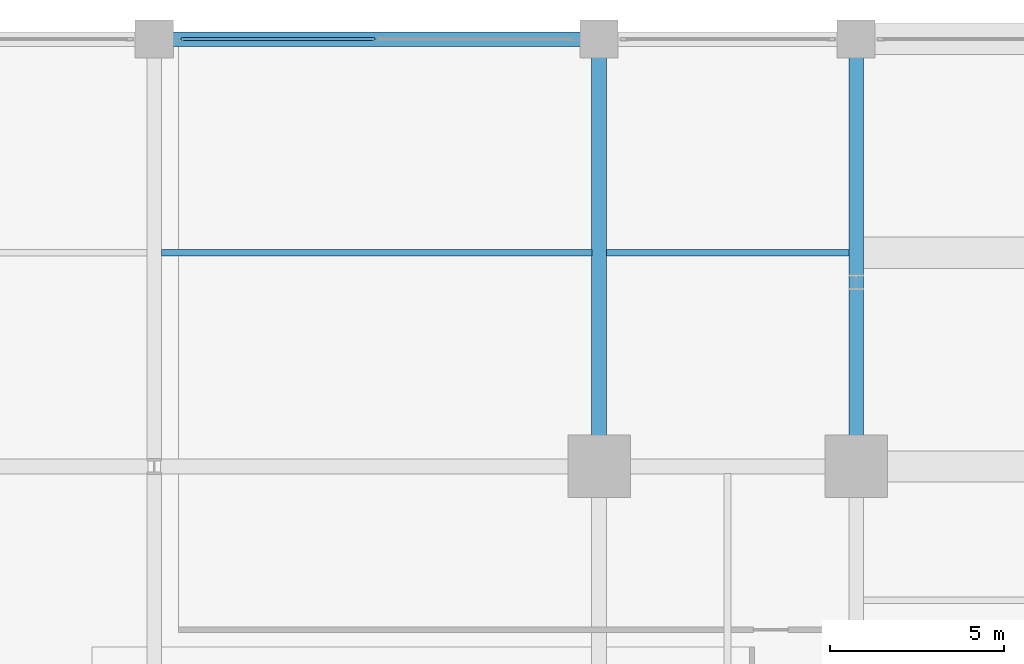
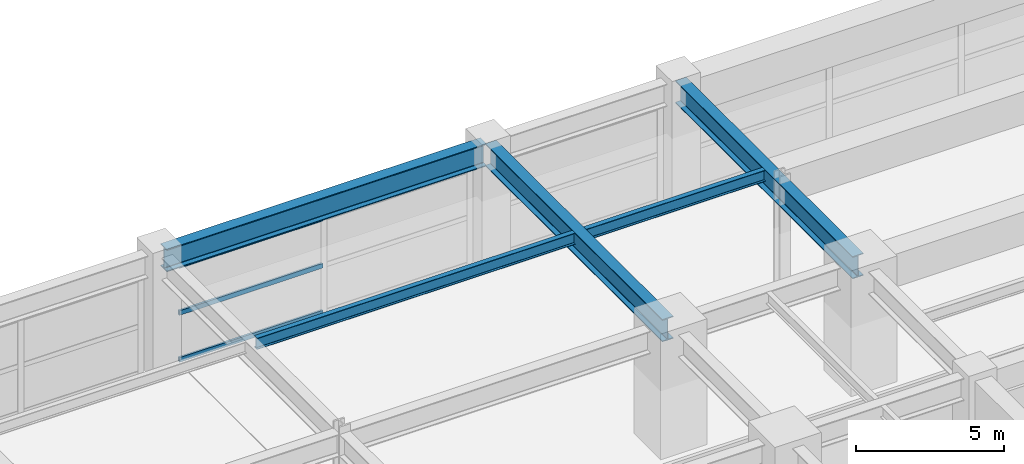
# One storey, part 16 of 45: 5 beams, 3 members, 1 element without a shape of its own.
"""IFC4 building model written with IfcOpenShell, lengths in metres."""

import ifcopenshell
import ifcopenshell.guid

model = None  # the IFC model being written
_history = None  # IfcOwnerHistory: only IFC2X3 demands one
_inside = {}  # id of a spatial element -> (the spatial element, [elements in it])
_under = {}  # id of a project, library or spatial element -> (it, [spatial elements below it])
_declared = {}  # id of a project -> (the project, [libraries it declares])
_typed = {}  # id of a type object -> (the type object, [elements of that type])
_made_of = {}  # id of a material, layer set ... -> (it, [elements and type objects made of it])


def new_model(schema):
    """Start an empty IFC model of exactly this schema.

    Asked for "IFC4X3", IfcOpenShell would pick the latest addendum, in which some entities
    have other attributes; the version numbers below select the first issue.
    IFC2X3 requires an IfcOwnerHistory on every rooted entity: one is made here for all.
    """
    global model, _history
    if schema == "IFC4X3":
        model = ifcopenshell.file(schema_version=(4, 3, 0, 0))
    else:
        model = ifcopenshell.file(schema=schema)
    _inside.clear()
    _under.clear()
    _declared.clear()
    _typed.clear()
    _made_of.clear()
    _history = None
    if model.schema == "IFC2X3":
        org = make("IfcOrganization", Name="unknown")
        user = make(
            "IfcPersonAndOrganization",
            ThePerson=make("IfcPerson", FamilyName="unknown"),
            TheOrganization=org,
        )
        app = make(
            "IfcApplication",
            ApplicationDeveloper=org,
            Version="unknown",
            ApplicationFullName="unknown",
            ApplicationIdentifier="unknown",
        )
        _history = make(
            "IfcOwnerHistory",
            OwningUser=user,
            OwningApplication=app,
            ChangeAction="ADDED",
            CreationDate=0,
        )
    return model


def make(cls, **values):
    """One entity of the class cls with the attributes given. An attribute that is None is left unset."""
    return model.create_entity(
        cls, **{name: value for name, value in values.items() if value is not None}
    )


def rooted(cls, **values):
    """An entity with a GlobalId (a new one), such as an element, a storey or a relation."""
    return make(cls, GlobalId=ifcopenshell.guid.new(), OwnerHistory=_history, **values)


def si_unit(unit_type, name, prefix=None):
    """IfcSIUnit, for example si_unit("LENGTHUNIT", "METRE", prefix="MILLI")."""
    return make("IfcSIUnit", UnitType=unit_type, Prefix=prefix, Name=name)


def assignment(units):
    """IfcUnitAssignment: the units of a project."""
    return None if units is None else make("IfcUnitAssignment", Units=units)


def point(xyz):
    """IfcCartesianPoint."""
    return None if xyz is None else make("IfcCartesianPoint", Coordinates=xyz)


def direction(xyz):
    """IfcDirection."""
    return None if xyz is None else make("IfcDirection", DirectionRatios=xyz)


def frame(location, z_axis=None, x_axis=None):
    """IfcAxis2Placement3D, a coordinate frame: its origin and axes. An axis left out is left unset."""
    return make(
        "IfcAxis2Placement3D",
        Location=point(location),
        Axis=direction(z_axis),
        RefDirection=direction(x_axis),
    )


def frame_2d(location, x_axis=None):
    """IfcAxis2Placement2D, a coordinate frame in the plane: its origin and x axis."""
    return make(
        "IfcAxis2Placement2D", Location=point(location), RefDirection=direction(x_axis)
    )


def origin():
    """The frame at (0, 0, 0) with its axes left unset."""
    return frame((0.0, 0.0, 0.0))


def origin_2d():
    """The frame at (0, 0) in the plane with its x axis left unset."""
    return frame_2d((0.0, 0.0))


def place(relative_to, where):
    """IfcLocalPlacement: puts the frame where relative to a parent placement (None: the world)."""
    return make(
        "IfcLocalPlacement", PlacementRelTo=relative_to, RelativePlacement=where
    )


def context(
    kind, dimensions, precision=None, world=None, true_north=None, identifier=None
):
    """IfcGeometricRepresentationContext, for example the 3D "Model" context."""
    return make(
        "IfcGeometricRepresentationContext",
        ContextIdentifier=identifier,
        ContextType=kind,
        CoordinateSpaceDimension=dimensions,
        Precision=precision,
        WorldCoordinateSystem=world,
        TrueNorth=true_north,
    )


def subcontext(parent, identifier, kind, view, scale=None):
    """IfcGeometricRepresentationSubContext, for example "Body" below "Model"."""
    return make(
        "IfcGeometricRepresentationSubContext",
        ContextIdentifier=identifier,
        ContextType=kind,
        ParentContext=parent,
        TargetScale=scale,
        TargetView=view,
    )


def project(units=None, contexts=None):
    """IfcProject with its units and contexts."""
    return rooted(
        "IfcProject",
        Name="project",
        RepresentationContexts=contexts,
        UnitsInContext=assignment(units),
    )


def spatial(cls, under=None, at=None, **own):
    """A site, building, storey or space (cls), placed at a placement, below another one or the project."""
    s = rooted(cls, ObjectPlacement=at, **own)
    if under is not None:
        _under.setdefault(under.id(), (under, []))[1].append(s)
    return s


def profile(cls, at=None, kind="AREA", **sizes):
    """A parametric profile (cls). Its sizes go by their IFC names, for example OverallWidth=200.0."""
    return make(cls, ProfileType=kind, Position=at, **sizes)


def hollow_rectangle(**sizes):
    """IfcRectangleHollowProfileDef."""
    return profile("IfcRectangleHollowProfileDef", **sizes)


def i_section(**sizes):
    """IfcIShapeProfileDef."""
    return profile("IfcIShapeProfileDef", **sizes)


def extrude(swept, where, along, depth):
    """IfcExtrudedAreaSolid: the profile swept, set in the frame where, extruded along a direction by depth."""
    return make(
        "IfcExtrudedAreaSolid",
        SweptArea=swept,
        Position=where,
        ExtrudedDirection=direction(along),
        Depth=depth,
    )


def shape(context_of_items, identifier, shape_type, items):
    """IfcShapeRepresentation: the items that make up one representation, for example the "Body"."""
    return make(
        "IfcShapeRepresentation",
        ContextOfItems=context_of_items,
        RepresentationIdentifier=identifier,
        RepresentationType=shape_type,
        Items=items,
    )


def material(Name=None, Category=None):
    """IfcMaterial."""
    return make("IfcMaterial", Name=Name, Category=Category)


def material_profile(
    of_material, cross_section, Name=None, Category=None, Priority=None
):
    """IfcMaterialProfile: a cross section and its material."""
    return make(
        "IfcMaterialProfile",
        Name=Name,
        Material=of_material,
        Profile=cross_section,
        Priority=Priority,
        Category=Category,
    )


def profile_set(profiles, Name=None, composite=None):
    """IfcMaterialProfileSet."""
    return make(
        "IfcMaterialProfileSet",
        Name=Name,
        MaterialProfiles=profiles,
        CompositeProfile=composite,
    )


def made_of(thing, what):
    """Note that an element or type object is made of a material, layer set ...; save() writes the relation."""
    if what is not None:
        _made_of.setdefault(what.id(), (what, []))[1].append(thing)
    return thing


def type_object(cls, material=None, **own):
    """A type object (cls), such as IfcWallType, which elements share."""
    return made_of(rooted(cls, **own), material)


def element(
    cls,
    number,
    at=None,
    inside=None,
    cuts=None,
    type_object=None,
    material=None,
    context=None,
    identifier="Body",
    shape_type=None,
    held_by="IfcProductDefinitionShape",
    body=None,
    shapes=None,
    **own,
):
    """One element of the class cls, such as IfcWall. Its Tag is "e" and its number.

    at: its placement. inside: the storey or other place that contains it. cuts: it is an
    opening in that element (IfcRelVoidsElement). A single representation is given by context,
    identifier, shape_type and body (its items); several are given by shapes. held_by: the class
    of the entity that holds the representations. save() writes the other relations.
    """
    e = rooted(cls, Tag="e%d" % number, ObjectPlacement=at, **own)
    if body is not None:
        shapes = [shape(context, identifier, shape_type, body)]
    if shapes is not None:
        e.Representation = make(held_by, Representations=shapes)
    if inside is not None:
        _inside.setdefault(inside.id(), (inside, []))[1].append(e)
    if cuts is not None:
        rooted(
            "IfcRelVoidsElement", RelatingBuildingElement=cuts, RelatedOpeningElement=e
        )
    if type_object is not None:
        _typed.setdefault(type_object.id(), (type_object, []))[1].append(e)
    return made_of(e, material)


def aggregate(whole, parts):
    """IfcRelAggregates: a whole, such as a stair, and the parts it consists of."""
    return rooted("IfcRelAggregates", RelatingObject=whole, RelatedObjects=parts)


def save(model, path):
    """Write the relations noted so far, then the file.

    IfcRelAggregates (storeys below a building ...), IfcRelContainedInSpatialStructure (elements
    in a storey), IfcRelDefinesByType, IfcRelAssociatesMaterial and IfcRelDeclares: one each for
    every whole, place, type object, material and project.
    """
    for whole, parts in _under.values():
        aggregate(whole, parts)
    for where, things in _inside.values():
        rooted(
            "IfcRelContainedInSpatialStructure",
            RelatedElements=things,
            RelatingStructure=where,
        )
    for kind, things in _typed.values():
        rooted("IfcRelDefinesByType", RelatedObjects=things, RelatingType=kind)
    for what, things in _made_of.values():
        rooted("IfcRelAssociatesMaterial", RelatedObjects=things, RelatingMaterial=what)
    for by, libraries in _declared.values():
        rooted("IfcRelDeclares", RelatingContext=by, RelatedDefinitions=libraries)
    model.write(path)


model = new_model("IFC4")

# Units and contexts
model_context = context("Model", 3, precision=1e-05, world=origin(), true_north=direction((0.0, 1.0)))
body_context = subcontext(model_context, "Body", "Model", "MODEL_VIEW")
ifc_project = project(units=[si_unit("LENGTHUNIT", "METRE"), si_unit("AREAUNIT", "SQUARE_METRE"), si_unit("VOLUMEUNIT", "CUBIC_METRE"), si_unit("PLANEANGLEUNIT", "RADIAN"), si_unit("MASSUNIT", "GRAM", prefix="KILO")], contexts=[model_context])

# Site, building, storey
site_placement = place(None, origin())
site = spatial("IfcSite", under=ifc_project, at=site_placement, CompositionType="ELEMENT")
building_placement = place(site_placement, origin())
building = spatial("IfcBuilding", under=site, at=building_placement, Name="Kovane Verandah Tower", CompositionType="ELEMENT")
storey_placement = place(building_placement, frame((0.0, 0.0, 6.0)))
storey = spatial("IfcBuildingStorey", under=building, at=storey_placement, Name="L01", CompositionType="ELEMENT", Elevation=6.0)

# Beams
ifc_material_1 = material(Name="Steel S460", Category="steel")
ifc_material_profile_1 = material_profile(ifc_material_1, i_section(OverallWidth=0.42041015625, OverallDepth=0.9208984375, WebThickness=0.021484375, FlangeThickness=0.03662109375, FilletRadius=0.024169921875, at=origin_2d()), Name="UB914x419x388")
ifc_profile_set_1 = profile_set([ifc_material_profile_1], Name="Steel S460")
beam_type_1 = type_object("IfcBeamType", Name="BM-UB914x388", PredefinedType="BEAM", material=ifc_profile_set_1)
beam_1_placement = place(storey_placement, frame((8.97998046875, 56.5, 4.439453125), z_axis=(1.0, 0.0, 0.0), x_axis=(0.0, 1.0, 0.0)))
element("IfcBeam", 1, at=beam_1_placement, inside=storey, type_object=beam_type_1, Name="L01 Podium Grid Girder X18", PredefinedType="BEAM", context=body_context, shape_type="SweptSolid", body=[
    extrude(i_section(OverallWidth=0.42041015625, OverallDepth=0.9208984375, WebThickness=0.021484375, FlangeThickness=0.03662109375, FilletRadius=0.024169921875, at=origin_2d()), origin(), (0.0, 0.0, 1.0), 12.43994140625),
])
for number, where, z_axis, x_axis, name in (
    (2, (21.60009765625, 44.3798828125, 4.439453125), (0.0, 1.0, 0.0), (-1.0, 0.0, 0.0), "L01 Podium Grid Girder Y32"),
    (3, (29.0, 44.3798828125, 4.439453125), (0.0, 1.0, 0.0), (-1.0, 0.0, 0.0), "L01 Podium Grid Girder Y33"),
):
    element("IfcBeam", number, at=place(storey_placement, frame(where, z_axis=z_axis, x_axis=x_axis)), inside=storey, type_object=beam_type_1, Name=name, PredefinedType="BEAM", context=body_context, shape_type="SweptSolid", body=[
        extrude(i_section(OverallWidth=0.42041015625, OverallDepth=0.9208984375, WebThickness=0.021484375, FlangeThickness=0.03662109375, FilletRadius=0.024169921875, at=origin_2d()), origin(), (0.0, 0.0, 1.0), 11.940185546875),
    ])

# Curtain wall, members
ifc_material_2 = material(Name="Champagne Anodised Aluminium Frame with Low-E Clear Laminated Glass", Category="aluminium")
curtain_wall_type = type_object("IfcCurtainWallType", Name="CW-SYS-01-POD", PredefinedType="NOTDEFINED", material=ifc_material_2)
curtain_wall_placement = place(storey_placement, origin())
curtain_wall = element("IfcCurtainWall", 4, at=curtain_wall_placement, inside=storey, type_object=curtain_wall_type, Name="L01 North Podium Curtain Wall Bay 2", PredefinedType="NOTDEFINED")
ifc_material_3 = material(Name="Champagne Anodised Aluminium 6063-T6", Category="aluminium")
ifc_material_profile_2 = material_profile(ifc_material_3, hollow_rectangle(XDim=0.0849609375, YDim=0.18994140625, WallThickness=0.00390625, at=origin_2d()), Name="AL85x190x4")
ifc_profile_set_2 = profile_set([ifc_material_profile_2], Name="Champagne Anodised Aluminium 6063-T6")
member_type = type_object("IfcMemberType", Name="CW-TRN-85x190", PredefinedType="USERDEFINED", material=ifc_profile_set_2)
member_1_placement = place(storey_placement, frame((15.14990234375, 56.5, 0.050048828125), z_axis=(-1.0, 0.0, 0.0), x_axis=(0.0, -1.0, 0.0)))
member_1 = element("IfcMember", 5, at=member_1_placement, type_object=member_type, Name="L01 North Podium Curtain Wall Bay 2 Transom TB Bay 2", ObjectType="TRANSOM", PredefinedType="USERDEFINED", context=body_context, shape_type="SweptSolid", body=[
    extrude(hollow_rectangle(XDim=0.0849609375, YDim=0.18994140625, WallThickness=0.00390625, at=origin_2d()), origin(), (0.0, 0.0, 1.0), 5.579833984375),
])
member_2_placement = place(storey_placement, frame((15.14990234375, 56.5, 1.9794921875), z_axis=(-1.0, 0.0, 0.0), x_axis=(0.0, -1.0, 0.0)))
member_2 = element("IfcMember", 6, at=member_2_placement, type_object=member_type, Name="L01 North Podium Curtain Wall Bay 2 Transom TM Bay 2", ObjectType="TRANSOM", PredefinedType="USERDEFINED", context=body_context, shape_type="SweptSolid", body=[
    extrude(hollow_rectangle(XDim=0.0849609375, YDim=0.18994140625, WallThickness=0.00390625, at=origin_2d()), origin(), (0.0, 0.0, 1.0), 5.579833984375),
])
member_3_placement = place(storey_placement, frame((15.14990234375, 56.5, 3.908935546875), z_axis=(-1.0, 0.0, 0.0), x_axis=(0.0, -1.0, 0.0)))
member_3 = element("IfcMember", 7, at=member_3_placement, type_object=member_type, Name="L01 North Podium Curtain Wall Bay 2 Transom TT Bay 2", ObjectType="TRANSOM", PredefinedType="USERDEFINED", context=body_context, shape_type="SweptSolid", body=[
    extrude(hollow_rectangle(XDim=0.0849609375, YDim=0.18994140625, WallThickness=0.00390625, at=origin_2d()), origin(), (0.0, 0.0, 1.0), 5.579833984375),
])
aggregate(curtain_wall, [member_1, member_2, member_3])

# Beams
ifc_material_4 = material(Name="Steel S355", Category="steel")
ifc_material_profile_3 = material_profile(ifc_material_4, i_section(OverallWidth=0.19287109375, OverallDepth=0.46728515625, WebThickness=0.011474609375, FlangeThickness=0.01953125, FilletRadius=0.01025390625, at=origin_2d()), Name="UB457x191x98")
ifc_profile_set_3 = profile_set([ifc_material_profile_3], Name="Steel S355")
beam_type_2 = type_object("IfcBeamType", Name="JST-UB457x98", PredefinedType="JOIST", material=ifc_profile_set_3)
beam_2_placement = place(storey_placement, frame((9.00830078125, 50.35009765625, 4.66650390625), z_axis=(1.0, 0.0, 0.0), x_axis=(0.0, 1.0, 0.0)))
element("IfcBeam", 8, at=beam_2_placement, inside=storey, type_object=beam_type_2, Name="L01 Podium Secondary Joist 02", PredefinedType="JOIST", context=body_context, shape_type="SweptSolid", body=[
    extrude(i_section(OverallWidth=0.19287109375, OverallDepth=0.46728515625, WebThickness=0.011474609375, FlangeThickness=0.01953125, FilletRadius=0.01025390625, at=origin_2d()), origin(), (0.0, 0.0, 1.0), 12.383544921875),
])
beam_3_placement = place(storey_placement, frame((21.80810546875, 50.35009765625, 4.66650390625), z_axis=(1.0, 0.0, 0.0), x_axis=(0.0, 1.0, 0.0)))
element("IfcBeam", 9, at=beam_3_placement, inside=storey, type_object=beam_type_2, Name="L01 Podium Secondary Joist 03", PredefinedType="JOIST", context=body_context, shape_type="SweptSolid", body=[
    extrude(i_section(OverallWidth=0.19287109375, OverallDepth=0.46728515625, WebThickness=0.011474609375, FlangeThickness=0.01953125, FilletRadius=0.01025390625, at=origin_2d()), origin(), (0.0, 0.0, 1.0), 6.983642578125),
])

save(model, "model.ifc")
